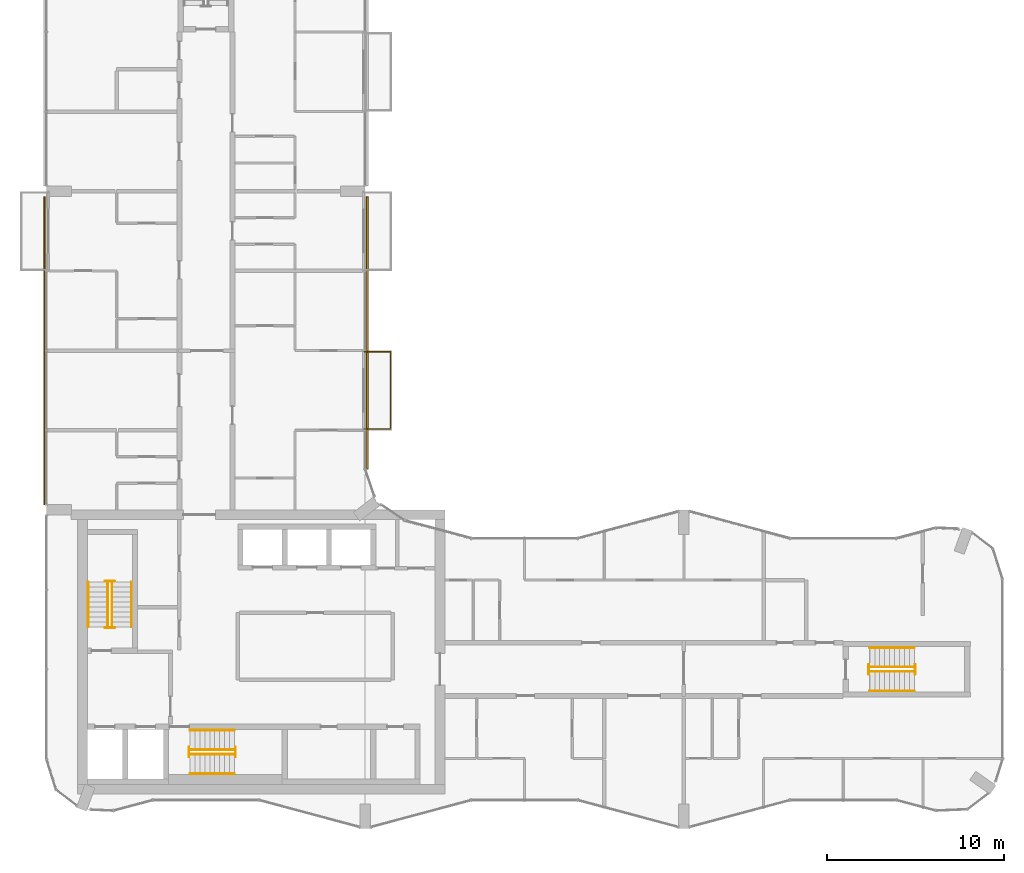
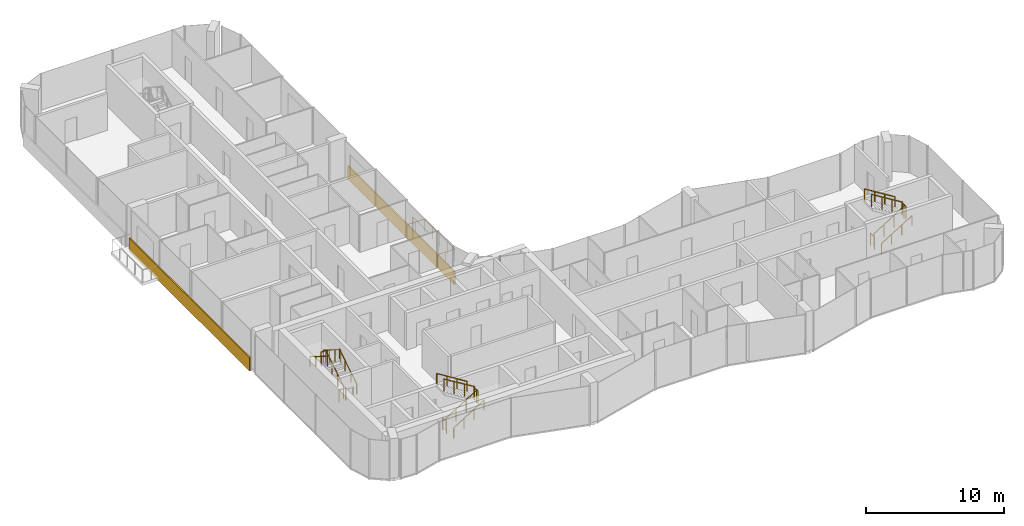
# One storey, part 14 of 15: 19 railings, 2 coverings.
"""IFC4 building model written with IfcOpenShell, lengths in metres."""

from ifc_helpers import new_model, si_unit, direction, frame, origin, origin_2d, place, context, subcontext, project, spatial, rectangle, circle, extrude, material, layer, layer_set, type_object, element, save


model = new_model("IFC4")

# Units and contexts
model_context = context("Model", 3, precision=1e-05, world=origin(), true_north=direction((0.0, 1.0)))
body_context = subcontext(model_context, "Body", "Model", "MODEL_VIEW")
ifc_project = project(units=[si_unit("LENGTHUNIT", "METRE"), si_unit("AREAUNIT", "SQUARE_METRE"), si_unit("VOLUMEUNIT", "CUBIC_METRE"), si_unit("PLANEANGLEUNIT", "RADIAN"), si_unit("MASSUNIT", "GRAM", prefix="KILO")], contexts=[model_context])

# Site, building, storey
site_placement = place(None, origin())
site = spatial("IfcSite", under=ifc_project, at=site_placement, CompositionType="ELEMENT")
building_placement = place(site_placement, origin())
building = spatial("IfcBuilding", under=site, at=building_placement, Name="Plateau Cross Towers", CompositionType="ELEMENT")
storey_placement = place(building_placement, frame((0.0, 0.0, 208.39990234375)))
storey = spatial("IfcBuildingStorey", under=building, at=storey_placement, Name="L54", CompositionType="ELEMENT", Elevation=208.39990234375)

# Railings
ifc_material_1 = material(Name="Stainless steel and toughened glass", Category="steel")
railing_type_1 = type_object("IfcRailingType", Name="Glass balustrade guard 1100", PredefinedType="GUARDRAIL", material=ifc_material_1)
railing_1_placement = place(storey_placement, frame((17.949951171875, 26.929931640625, 0.0)))
element("IfcRailing", 1, at=railing_1_placement, inside=storey, type_object=railing_type_1, Name="Guard guard1", PredefinedType="GUARDRAIL", context=body_context, shape_type="SweptSolid", body=[
    extrude(circle(Radius=0.02392578125, at=origin_2d()), frame((0.0, 0.0, 1.076171875), z_axis=(1.0, 0.0, 0.0), x_axis=(0.0, 1.0, 0.0)), (0.0, 0.0, 1.0), 1.47998046875),
    extrude(circle(Radius=0.02392578125, at=origin_2d()), frame((1.47998046875, 0.0, 1.076171875), z_axis=(0.0, -1.0, 0.0), x_axis=(1.0, 0.0, 0.0)), (0.0, 0.0, 1.0), 4.35986328125),
    extrude(circle(Radius=0.02392578125, at=origin_2d()), frame((1.47998046875, -4.35986328125, 1.076171875), z_axis=(-1.0, 0.0, 0.0), x_axis=(0.0, -1.0, 0.0)), (0.0, 0.0, 1.0), 1.47998046875),
    extrude(circle(Radius=0.02099609375, at=origin_2d()), origin(), (0.0, 0.0, 1.0), 1.052001953125),
    extrude(circle(Radius=0.02099609375, at=origin_2d()), frame((0.739990234375, 0.0, 0.0)), (0.0, 0.0, 1.0), 1.052001953125),
    extrude(circle(Radius=0.02099609375, at=origin_2d()), frame((1.47998046875, 0.0, 0.0)), (0.0, 0.0, 1.0), 1.052001953125),
    extrude(circle(Radius=0.02099609375, at=origin_2d()), frame((1.47998046875, -1.08984375, 0.0)), (0.0, 0.0, 1.0), 1.052001953125),
    extrude(circle(Radius=0.02099609375, at=origin_2d()), frame((1.47998046875, -2.179931640625, 0.0)), (0.0, 0.0, 1.0), 1.052001953125),
    extrude(circle(Radius=0.02099609375, at=origin_2d()), frame((1.47998046875, -3.27001953125, 0.0)), (0.0, 0.0, 1.0), 1.052001953125),
    extrude(circle(Radius=0.02099609375, at=origin_2d()), frame((1.47998046875, -4.35986328125, 0.0)), (0.0, 0.0, 1.0), 1.052001953125),
    extrude(circle(Radius=0.02099609375, at=origin_2d()), frame((0.739990234375, -4.35986328125, 0.0)), (0.0, 0.0, 1.0), 1.052001953125),
    extrude(circle(Radius=0.02099609375, at=origin_2d()), frame((0.0, -4.35986328125, 0.0)), (0.0, 0.0, 1.0), 1.052001953125),
])
railing_type_2 = type_object("IfcRailingType", Name="RL-GUARD-1100", PredefinedType="GUARDRAIL", material=ifc_material_1)
railing_2_placement = place(storey_placement, frame((3.699951171875, 11.39990234375, 0.175048828125)))
element("IfcRailing", 2, at=railing_2_placement, inside=storey, type_object=railing_type_2, Name="L54 ST-1 stair guard 1", PredefinedType="GUARDRAIL", context=body_context, shape_type="SweptSolid", body=[
    extrude(circle(Radius=0.02392578125, at=origin_2d()), frame((0.0, 0.0, 1.076171875), z_axis=(0.0, 0.848007534815, 0.529984170421), x_axis=(-1.0, 0.0, 0.0)), (0.0, 0.0, 1.0), 2.9716796875),
    extrude(circle(Radius=0.02099609375, at=origin_2d()), origin(), (0.0, 0.0, 1.0), 1.052001953125),
    extrude(circle(Radius=0.02099609375, at=origin_2d()), frame((0.0, 0.840087890625, 0.52490234375)), (0.0, 0.0, 1.0), 1.052001953125),
    extrude(circle(Radius=0.02099609375, at=origin_2d()), frame((0.0, 1.679931640625, 1.050048828125)), (0.0, 0.0, 1.0), 1.052001953125),
    extrude(circle(Radius=0.02099609375, at=origin_2d()), frame((0.0, 2.52001953125, 1.574951171875)), (0.0, 0.0, 1.0), 1.052001953125),
])
railing_3_placement = place(storey_placement, frame((3.85009765625, 13.969970703125, 1.75)))
element("IfcRailing", 3, at=railing_3_placement, inside=storey, type_object=railing_type_2, Name="L54 ST-1 stair guard 2", PredefinedType="GUARDRAIL", context=body_context, shape_type="SweptSolid", body=[
    extrude(circle(Radius=0.02392578125, at=origin_2d()), frame((0.0, 0.0, 1.076171875), z_axis=(-1.0, 0.0, 0.0), x_axis=(0.0, -1.0, 0.0)), (0.0, 0.0, 1.0), 0.550048828125),
    extrude(circle(Radius=0.02099609375, at=origin_2d()), origin(), (0.0, 0.0, 1.0), 1.052001953125),
    extrude(circle(Radius=0.02099609375, at=origin_2d()), frame((-0.550048828125, 0.0, 0.0)), (0.0, 0.0, 1.0), 1.052001953125),
])
railing_4_placement = place(storey_placement, frame((3.449951171875, 13.919921875, 1.925048828125)))
element("IfcRailing", 4, at=railing_4_placement, inside=storey, type_object=railing_type_2, Name="L54 ST-1 stair guard 3", PredefinedType="GUARDRAIL", context=body_context, shape_type="SweptSolid", body=[
    extrude(circle(Radius=0.02392578125, at=origin_2d()), frame((0.0, 0.0, 1.076171875), z_axis=(0.0, -0.852616386126, 0.522537365276), x_axis=(1.0, 0.0, 0.0)), (0.0, 0.0, 1.0), 3.01416015625),
    extrude(circle(Radius=0.02099609375, at=origin_2d()), origin(), (0.0, 0.0, 1.0), 1.052001953125),
    extrude(circle(Radius=0.02099609375, at=origin_2d()), frame((0.0, -0.856689453125, 0.52490234375)), (0.0, 0.0, 1.0), 1.052001953125),
    extrude(circle(Radius=0.02099609375, at=origin_2d()), frame((0.0, -1.713134765625, 1.050048828125)), (0.0, 0.0, 1.0), 1.052001953125),
    extrude(circle(Radius=0.02099609375, at=origin_2d()), frame((0.0, -2.56982421875, 1.574951171875)), (0.0, 0.0, 1.0), 1.052001953125),
])
railing_5_placement = place(storey_placement, frame((3.85009765625, 11.35009765625, 0.0)))
element("IfcRailing", 5, at=railing_5_placement, inside=storey, type_object=railing_type_2, Name="L54 ST-1 stair guard 4", PredefinedType="GUARDRAIL", context=body_context, shape_type="SweptSolid", body=[
    extrude(circle(Radius=0.02392578125, at=origin_2d()), frame((0.0, 0.0, 1.076171875), z_axis=(-1.0, 0.0, 0.0), x_axis=(0.0, -1.0, 0.0)), (0.0, 0.0, 1.0), 0.550048828125),
    extrude(circle(Radius=0.02099609375, at=origin_2d()), origin(), (0.0, 0.0, 1.0), 1.052001953125),
    extrude(circle(Radius=0.02099609375, at=origin_2d()), frame((-0.550048828125, 0.0, 0.0)), (0.0, 0.0, 1.0), 1.052001953125),
])
railing_6_placement = place(storey_placement, frame((8.10009765625, 4.199951171875, 0.175048828125)))
element("IfcRailing", 6, at=railing_6_placement, inside=storey, type_object=railing_type_2, Name="L54 ST-2 stair guard 1", PredefinedType="GUARDRAIL", context=body_context, shape_type="SweptSolid", body=[
    extrude(circle(Radius=0.02392578125, at=origin_2d()), frame((0.0, 0.0, 1.076171875), z_axis=(0.848007534815, 0.0, 0.529984170421), x_axis=(0.0, 1.0, 0.0)), (0.0, 0.0, 1.0), 2.9716796875),
    extrude(circle(Radius=0.02099609375, at=origin_2d()), origin(), (0.0, 0.0, 1.0), 1.052001953125),
    extrude(circle(Radius=0.02099609375, at=origin_2d()), frame((0.840087890625, 0.0, 0.52490234375)), (0.0, 0.0, 1.0), 1.052001953125),
    extrude(circle(Radius=0.02099609375, at=origin_2d()), frame((1.679931640625, 0.0, 1.050048828125)), (0.0, 0.0, 1.0), 1.052001953125),
    extrude(circle(Radius=0.02099609375, at=origin_2d()), frame((2.52001953125, 0.0, 1.574951171875)), (0.0, 0.0, 1.0), 1.052001953125),
])
railing_7_placement = place(storey_placement, frame((10.669921875, 4.050048828125, 1.75)))
element("IfcRailing", 7, at=railing_7_placement, inside=storey, type_object=railing_type_2, Name="L54 ST-2 stair guard 2", PredefinedType="GUARDRAIL", context=body_context, shape_type="SweptSolid", body=[
    extrude(circle(Radius=0.02392578125, at=origin_2d()), frame((0.0, 0.0, 1.076171875), z_axis=(0.0, 1.0, 0.0), x_axis=(-1.0, 0.0, 0.0)), (0.0, 0.0, 1.0), 0.550048828125),
    extrude(circle(Radius=0.02099609375, at=origin_2d()), origin(), (0.0, 0.0, 1.0), 1.052001953125),
    extrude(circle(Radius=0.02099609375, at=origin_2d()), frame((0.0, 0.550048828125, 0.0)), (0.0, 0.0, 1.0), 1.052001953125),
])
railing_8_placement = place(storey_placement, frame((10.6201171875, 4.449951171875, 1.925048828125)))
element("IfcRailing", 8, at=railing_8_placement, inside=storey, type_object=railing_type_2, Name="L54 ST-2 stair guard 3", PredefinedType="GUARDRAIL", context=body_context, shape_type="SweptSolid", body=[
    extrude(circle(Radius=0.02392578125, at=origin_2d()), frame((0.0, 0.0, 1.076171875), z_axis=(-0.852638500773, 0.0, 0.522501279423), x_axis=(0.0, -1.0, 0.0)), (0.0, 0.0, 1.0), 3.01416015625),
    extrude(circle(Radius=0.02099609375, at=origin_2d()), origin(), (0.0, 0.0, 1.0), 1.052001953125),
    extrude(circle(Radius=0.02099609375, at=origin_2d()), frame((-0.856689453125, 0.0, 0.52490234375)), (0.0, 0.0, 1.0), 1.052001953125),
    extrude(circle(Radius=0.02099609375, at=origin_2d()), frame((-1.71337890625, 0.0, 1.050048828125)), (0.0, 0.0, 1.0), 1.052001953125),
    extrude(circle(Radius=0.02099609375, at=origin_2d()), frame((-2.570068359375, 0.0, 1.574951171875)), (0.0, 0.0, 1.0), 1.052001953125),
])
railing_9_placement = place(storey_placement, frame((8.050048828125, 4.050048828125, 0.0)))
element("IfcRailing", 9, at=railing_9_placement, inside=storey, type_object=railing_type_2, Name="L54 ST-2 stair guard 4", PredefinedType="GUARDRAIL", context=body_context, shape_type="SweptSolid", body=[
    extrude(circle(Radius=0.02392578125, at=origin_2d()), frame((0.0, 0.0, 1.076171875), z_axis=(0.0, 1.0, 0.0), x_axis=(-1.0, 0.0, 0.0)), (0.0, 0.0, 1.0), 0.550048828125),
    extrude(circle(Radius=0.02099609375, at=origin_2d()), origin(), (0.0, 0.0, 1.0), 1.052001953125),
    extrude(circle(Radius=0.02099609375, at=origin_2d()), frame((0.0, 0.550048828125, 0.0)), (0.0, 0.0, 1.0), 1.052001953125),
])
railing_10_placement = place(storey_placement, frame((46.5, 8.875, 0.175048828125)))
element("IfcRailing", 10, at=railing_10_placement, inside=storey, type_object=railing_type_2, Name="L54 ES-E stair guard 1", PredefinedType="GUARDRAIL", context=body_context, shape_type="SweptSolid", body=[
    extrude(circle(Radius=0.02392578125, at=origin_2d()), frame((0.0, 0.0, 1.076171875), z_axis=(0.848007534815, 0.0, 0.529984170421), x_axis=(0.0, 1.0, 0.0)), (0.0, 0.0, 1.0), 2.9716796875),
    extrude(circle(Radius=0.02099609375, at=origin_2d()), origin(), (0.0, 0.0, 1.0), 1.052001953125),
    extrude(circle(Radius=0.02099609375, at=origin_2d()), frame((0.840087890625, 0.0, 0.52490234375)), (0.0, 0.0, 1.0), 1.052001953125),
    extrude(circle(Radius=0.02099609375, at=origin_2d()), frame((1.679931640625, 0.0, 1.050048828125)), (0.0, 0.0, 1.0), 1.052001953125),
    extrude(circle(Radius=0.02099609375, at=origin_2d()), frame((2.52001953125, 0.0, 1.574951171875)), (0.0, 0.0, 1.0), 1.052001953125),
])
railing_11_placement = place(storey_placement, frame((49.070068359375, 8.72509765625, 1.75)))
element("IfcRailing", 11, at=railing_11_placement, inside=storey, type_object=railing_type_2, Name="L54 ES-E stair guard 2", PredefinedType="GUARDRAIL", context=body_context, shape_type="SweptSolid", body=[
    extrude(circle(Radius=0.02392578125, at=origin_2d()), frame((0.0, 0.0, 1.076171875), z_axis=(0.0, 1.0, 0.0), x_axis=(-1.0, 0.0, 0.0)), (0.0, 0.0, 1.0), 0.5498046875),
    extrude(circle(Radius=0.02099609375, at=origin_2d()), origin(), (0.0, 0.0, 1.0), 1.052001953125),
    extrude(circle(Radius=0.02099609375, at=origin_2d()), frame((0.0, 0.5498046875, 0.0)), (0.0, 0.0, 1.0), 1.052001953125),
])
railing_12_placement = place(storey_placement, frame((49.02001953125, 9.125, 1.925048828125)))
element("IfcRailing", 12, at=railing_12_placement, inside=storey, type_object=railing_type_2, Name="L54 ES-E stair guard 3", PredefinedType="GUARDRAIL", context=body_context, shape_type="SweptSolid", body=[
    extrude(circle(Radius=0.02392578125, at=origin_2d()), frame((0.0, 0.0, 1.076171875), z_axis=(-0.852638500773, 0.0, 0.522501279423), x_axis=(0.0, -1.0, 0.0)), (0.0, 0.0, 1.0), 3.01416015625),
    extrude(circle(Radius=0.02099609375, at=origin_2d()), origin(), (0.0, 0.0, 1.0), 1.052001953125),
    extrude(circle(Radius=0.02099609375, at=origin_2d()), frame((-0.856689453125, 0.0, 0.52490234375)), (0.0, 0.0, 1.0), 1.052001953125),
    extrude(circle(Radius=0.02099609375, at=origin_2d()), frame((-1.71337890625, 0.0, 1.050048828125)), (0.0, 0.0, 1.0), 1.052001953125),
    extrude(circle(Radius=0.02099609375, at=origin_2d()), frame((-2.570068359375, 0.0, 1.574951171875)), (0.0, 0.0, 1.0), 1.052001953125),
])
railing_13_placement = place(storey_placement, frame((46.449951171875, 8.72509765625, 0.0)))
element("IfcRailing", 13, at=railing_13_placement, inside=storey, type_object=railing_type_2, Name="L54 ES-E stair guard 4", PredefinedType="GUARDRAIL", context=body_context, shape_type="SweptSolid", body=[
    extrude(circle(Radius=0.02392578125, at=origin_2d()), frame((0.0, 0.0, 1.076171875), z_axis=(0.0, 1.0, 0.0), x_axis=(-1.0, 0.0, 0.0)), (0.0, 0.0, 1.0), 0.5498046875),
    extrude(circle(Radius=0.02099609375, at=origin_2d()), origin(), (0.0, 0.0, 1.0), 1.052001953125),
    extrude(circle(Radius=0.02099609375, at=origin_2d()), frame((0.0, 0.5498046875, 0.0)), (0.0, 0.0, 1.0), 1.052001953125),
])
ifc_material_2 = material(Name="Black anodised aluminium", Category="aluminium")
railing_type_3 = type_object("IfcRailingType", Name="RL-HANDRAIL-900", PredefinedType="HANDRAIL", material=ifc_material_2)
railing_14_placement = place(storey_placement, frame((4.800048828125, 11.39990234375, 0.175048828125)))
element("IfcRailing", 14, at=railing_14_placement, inside=storey, type_object=railing_type_3, Name="L54 ST-1 stair handrail 1", PredefinedType="HANDRAIL", context=body_context, shape_type="SweptSolid", body=[
    extrude(circle(Radius=0.02392578125, at=origin_2d()), frame((0.0, 0.0, 0.8759765625), z_axis=(0.0, 0.848007534815, 0.529984170421), x_axis=(-1.0, 0.0, 0.0)), (0.0, 0.0, 1.0), 2.9716796875),
    extrude(circle(Radius=0.02099609375, at=origin_2d()), origin(), (0.0, 0.0, 1.0), 0.851806640625),
    extrude(circle(Radius=0.02099609375, at=origin_2d()), frame((0.0, 0.840087890625, 0.52490234375)), (0.0, 0.0, 1.0), 0.851806640625),
    extrude(circle(Radius=0.02099609375, at=origin_2d()), frame((0.0, 1.679931640625, 1.050048828125)), (0.0, 0.0, 1.0), 0.851806640625),
    extrude(circle(Radius=0.02099609375, at=origin_2d()), frame((0.0, 2.52001953125, 1.574951171875)), (0.0, 0.0, 1.0), 0.851806640625),
])
railing_15_placement = place(storey_placement, frame((2.35009765625, 13.919921875, 1.925048828125)))
element("IfcRailing", 15, at=railing_15_placement, inside=storey, type_object=railing_type_3, Name="L54 ST-1 stair handrail 2", PredefinedType="HANDRAIL", context=body_context, shape_type="SweptSolid", body=[
    extrude(circle(Radius=0.02392578125, at=origin_2d()), frame((0.0, 0.0, 0.8759765625), z_axis=(0.0, -0.848007534815, 0.529984170421), x_axis=(1.0, 0.0, 0.0)), (0.0, 0.0, 1.0), 2.9716796875),
    extrude(circle(Radius=0.02099609375, at=origin_2d()), origin(), (0.0, 0.0, 1.0), 0.851806640625),
    extrude(circle(Radius=0.02099609375, at=origin_2d()), frame((0.0, -0.840087890625, 0.52490234375)), (0.0, 0.0, 1.0), 0.851806640625),
    extrude(circle(Radius=0.02099609375, at=origin_2d()), frame((0.0, -1.679931640625, 1.050048828125)), (0.0, 0.0, 1.0), 0.851806640625),
    extrude(circle(Radius=0.02099609375, at=origin_2d()), frame((0.0, -2.52001953125, 1.574951171875)), (0.0, 0.0, 1.0), 0.851806640625),
])
railing_16_placement = place(storey_placement, frame((8.10009765625, 3.10009765625, 0.175048828125)))
element("IfcRailing", 16, at=railing_16_placement, inside=storey, type_object=railing_type_3, Name="L54 ST-2 stair handrail 1", PredefinedType="HANDRAIL", context=body_context, shape_type="SweptSolid", body=[
    extrude(circle(Radius=0.02392578125, at=origin_2d()), frame((0.0, 0.0, 0.8759765625), z_axis=(0.848007534815, 0.0, 0.529984170421), x_axis=(0.0, 1.0, 0.0)), (0.0, 0.0, 1.0), 2.9716796875),
    extrude(circle(Radius=0.02099609375, at=origin_2d()), origin(), (0.0, 0.0, 1.0), 0.851806640625),
    extrude(circle(Radius=0.02099609375, at=origin_2d()), frame((0.840087890625, 0.0, 0.52490234375)), (0.0, 0.0, 1.0), 0.851806640625),
    extrude(circle(Radius=0.02099609375, at=origin_2d()), frame((1.679931640625, 0.0, 1.050048828125)), (0.0, 0.0, 1.0), 0.851806640625),
    extrude(circle(Radius=0.02099609375, at=origin_2d()), frame((2.52001953125, 0.0, 1.574951171875)), (0.0, 0.0, 1.0), 0.851806640625),
])
railing_17_placement = place(storey_placement, frame((10.6201171875, 5.550048828125, 1.925048828125)))
element("IfcRailing", 17, at=railing_17_placement, inside=storey, type_object=railing_type_3, Name="L54 ST-2 stair handrail 2", PredefinedType="HANDRAIL", context=body_context, shape_type="SweptSolid", body=[
    extrude(circle(Radius=0.02392578125, at=origin_2d()), frame((0.0, 0.0, 0.8759765625), z_axis=(-0.848007534815, 0.0, 0.529984170421), x_axis=(0.0, -1.0, 0.0)), (0.0, 0.0, 1.0), 2.9716796875),
    extrude(circle(Radius=0.02099609375, at=origin_2d()), origin(), (0.0, 0.0, 1.0), 0.851806640625),
    extrude(circle(Radius=0.02099609375, at=origin_2d()), frame((-0.840087890625, 0.0, 0.52490234375)), (0.0, 0.0, 1.0), 0.851806640625),
    extrude(circle(Radius=0.02099609375, at=origin_2d()), frame((-1.679931640625, 0.0, 1.050048828125)), (0.0, 0.0, 1.0), 0.851806640625),
    extrude(circle(Radius=0.02099609375, at=origin_2d()), frame((-2.52001953125, 0.0, 1.574951171875)), (0.0, 0.0, 1.0), 0.851806640625),
])
railing_18_placement = place(storey_placement, frame((46.5, 7.77490234375, 0.175048828125)))
element("IfcRailing", 18, at=railing_18_placement, inside=storey, type_object=railing_type_3, Name="L54 ES-E stair handrail 1", PredefinedType="HANDRAIL", context=body_context, shape_type="SweptSolid", body=[
    extrude(circle(Radius=0.02392578125, at=origin_2d()), frame((0.0, 0.0, 0.8759765625), z_axis=(0.848007534815, 0.0, 0.529984170421), x_axis=(0.0, 1.0, 0.0)), (0.0, 0.0, 1.0), 2.9716796875),
    extrude(circle(Radius=0.02099609375, at=origin_2d()), origin(), (0.0, 0.0, 1.0), 0.851806640625),
    extrude(circle(Radius=0.02099609375, at=origin_2d()), frame((0.840087890625, 0.0, 0.52490234375)), (0.0, 0.0, 1.0), 0.851806640625),
    extrude(circle(Radius=0.02099609375, at=origin_2d()), frame((1.679931640625, 0.0, 1.050048828125)), (0.0, 0.0, 1.0), 0.851806640625),
    extrude(circle(Radius=0.02099609375, at=origin_2d()), frame((2.52001953125, 0.0, 1.574951171875)), (0.0, 0.0, 1.0), 0.851806640625),
])
railing_19_placement = place(storey_placement, frame((49.02001953125, 10.22509765625, 1.925048828125)))
element("IfcRailing", 19, at=railing_19_placement, inside=storey, type_object=railing_type_3, Name="L54 ES-E stair handrail 2", PredefinedType="HANDRAIL", context=body_context, shape_type="SweptSolid", body=[
    extrude(circle(Radius=0.02392578125, at=origin_2d()), frame((0.0, 0.0, 0.8759765625), z_axis=(-0.848007534815, 0.0, 0.529984170421), x_axis=(0.0, -1.0, 0.0)), (0.0, 0.0, 1.0), 2.9716796875),
    extrude(circle(Radius=0.02099609375, at=origin_2d()), origin(), (0.0, 0.0, 1.0), 0.851806640625),
    extrude(circle(Radius=0.02099609375, at=origin_2d()), frame((-0.840087890625, 0.0, 0.52490234375)), (0.0, 0.0, 1.0), 0.851806640625),
    extrude(circle(Radius=0.02099609375, at=origin_2d()), frame((-1.679931640625, 0.0, 1.050048828125)), (0.0, 0.0, 1.0), 0.851806640625),
    extrude(circle(Radius=0.02099609375, at=origin_2d()), frame((-2.52001953125, 0.0, 1.574951171875)), (0.0, 0.0, 1.0), 0.851806640625),
])

# Coverings
ifc_material_3 = material(Name="Precast concrete cladding C40/50", Category="concrete")
ifc_layer = layer(ifc_material_3, 0.10009765625)
ifc_layer_set = layer_set([ifc_layer], Name="Precast concrete cladding C40/50")
covering_type = type_object("IfcCoveringType", Name="Spandrel band cladding 100x1200", PredefinedType="CLADDING", material=ifc_layer_set)
covering_1_placement = place(storey_placement, frame((18.1201171875, 28.001220703125, -0.25), z_axis=(0.0, 0.0, 1.0), x_axis=(0.0, 1.0, 0.0)))
element("IfcCovering", 20, at=covering_1_placement, inside=storey, type_object=covering_type, Name="Spandrel band", PredefinedType="CLADDING", context=body_context, shape_type="SweptSolid", body=[
    extrude(rectangle(XDim=15.397705078125, YDim=0.10009765625, at=origin_2d()), origin(), (0.0, 0.0, 1.0), 1.199951171875),
])
covering_2_placement = place(storey_placement, frame((-0.1201171875, 27.0, -0.25), z_axis=(0.0, 0.0, 1.0), x_axis=(0.0, -1.0, 0.0)))
element("IfcCovering", 21, at=covering_2_placement, inside=storey, type_object=covering_type, Name="Spandrel band", PredefinedType="CLADDING", context=body_context, shape_type="SweptSolid", body=[
    extrude(rectangle(XDim=17.39990234375, YDim=0.10009765625, at=origin_2d()), origin(), (0.0, 0.0, 1.0), 1.199951171875),
])

save(model, "model.ifc")
